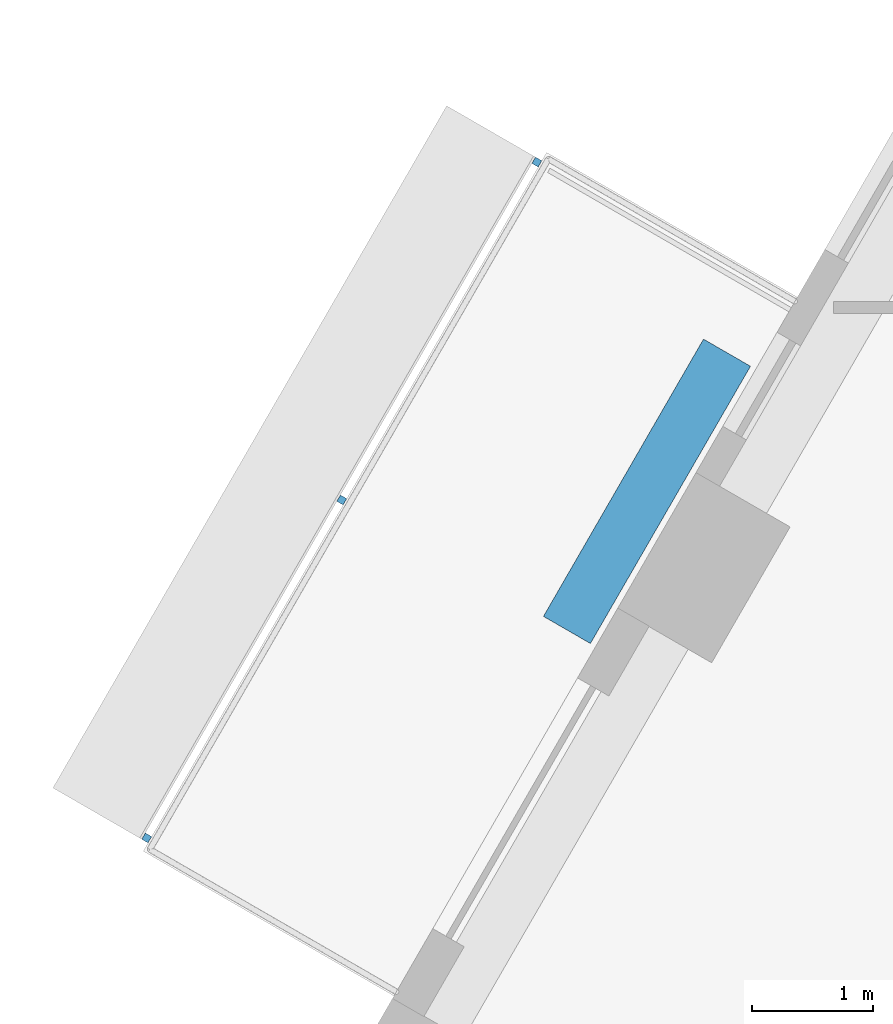
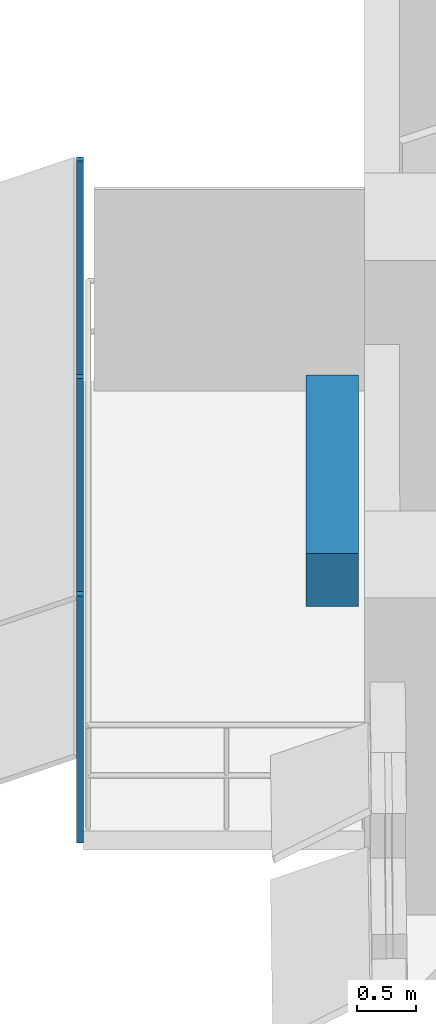
# One storey, part 10 of 13: 4 discrete accessories.
"""IFC4 building model written with IfcOpenShell, lengths in metres."""

from ifc_helpers import new_model, si_unit, direction, frame, origin, origin_2d, place, context, subcontext, project, spatial, rectangle, extrude, material, type_object, element, save


model = new_model("IFC4")

# Units and contexts
model_context = context("Model", 3, precision=1e-05, world=origin(), true_north=direction((0.0, 1.0)))
body_context = subcontext(model_context, "Body", "Model", "MODEL_VIEW")
ifc_project = project(units=[si_unit("LENGTHUNIT", "METRE"), si_unit("AREAUNIT", "SQUARE_METRE"), si_unit("VOLUMEUNIT", "CUBIC_METRE"), si_unit("PLANEANGLEUNIT", "RADIAN"), si_unit("MASSUNIT", "GRAM", prefix="KILO")], contexts=[model_context])

# Site, building, storey
site_placement = place(None, origin())
site = spatial("IfcSite", under=ifc_project, at=site_placement, CompositionType="ELEMENT")
building_placement = place(site_placement, origin())
building = spatial("IfcBuilding", under=site, at=building_placement, Name="Nakaniwa Court", CompositionType="ELEMENT")
storey_placement = place(building_placement, frame((0.0, 0.0, 156.89990234375)))
storey = spatial("IfcBuildingStorey", under=building, at=storey_placement, Name="L41", CompositionType="ELEMENT", Elevation=156.89990234375)

# Discrete accessories
ifc_material_1 = material(Name="Black powder-coated steel bracket S275", Category="steel")
discrete_accessory_type_1 = type_object("IfcDiscreteAccessoryType", Name="Black metal louvre bracket", PredefinedType="BRACKET", material=ifc_material_1)
for number, where, z_axis, x_axis, name in (
    (1, (58.307373046875, 95.287353515625, -0.229736328125), (0.0, 0.0, 1.0), (-0.499975815814, -0.866039366081, 0.0), "L41 louvre bracket 01 1"),
    (2, (56.690185546875, 92.486328125, -0.229736328125), (0.0, 0.0, 1.0), (-0.499975815814, -0.866039366081, 0.0), "L41 louvre bracket 01 2"),
    (3, (55.072998046875, 89.68505859375, -0.229736328125), (0.0, 0.0, 1.0), (-0.499975815814, -0.866039366081, 0.0), "L41 louvre bracket 01 3"),
):
    element("IfcDiscreteAccessory", number, at=place(storey_placement, frame(where, z_axis=z_axis, x_axis=x_axis)), inside=storey, type_object=discrete_accessory_type_1, Name=name, PredefinedType="BRACKET", context=body_context, shape_type="SweptSolid", body=[
        extrude(rectangle(XDim=0.06005859375, YDim=0.06005859375, at=origin_2d()), origin(), (0.0, 0.0, 1.0), 2.5751953125),
    ])
ifc_material_2 = material(Name="Precast concrete C40/50 planter with planted soil", Category="concrete")
discrete_accessory_type_2 = type_object("IfcDiscreteAccessoryType", Name="Planter box charcoal concrete", PredefinedType="USERDEFINED", material=ifc_material_2)
discrete_accessory_placement = place(storey_placement, frame((59.219970703125, 92.55810546875, -0.0498046875), z_axis=(0.0, 0.0, 1.0), x_axis=(-0.499975815814, -0.866039366081, 0.0)))
element("IfcDiscreteAccessory", 4, at=discrete_accessory_placement, inside=storey, type_object=discrete_accessory_type_2, Name="L41 balcony PLANTER 01", ObjectType="PLANTER", PredefinedType="USERDEFINED", context=body_context, shape_type="SweptSolid", body=[
    extrude(rectangle(XDim=2.654296875, YDim=0.449951171875, at=origin_2d()), origin(), (0.0, 0.0, 1.0), 0.550048828125),
])

save(model, "model.ifc")
